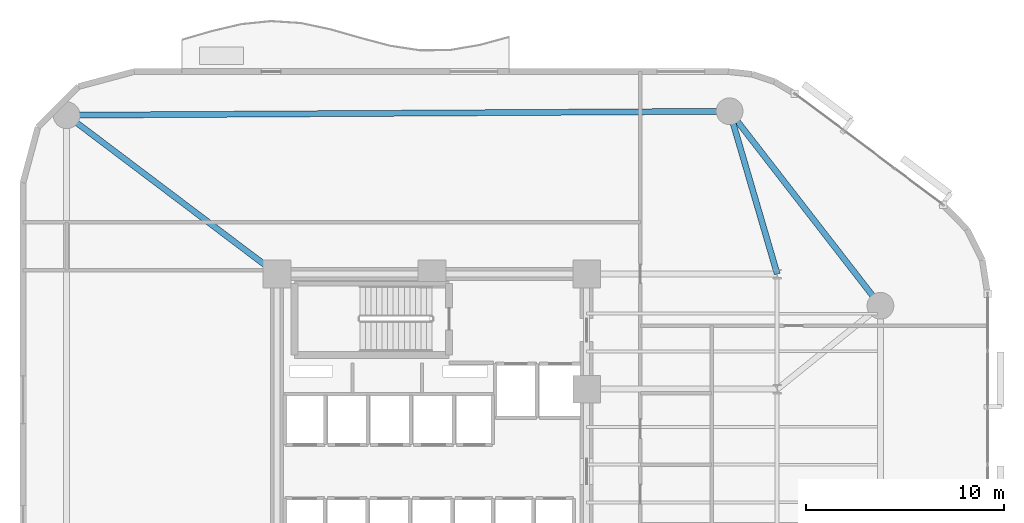
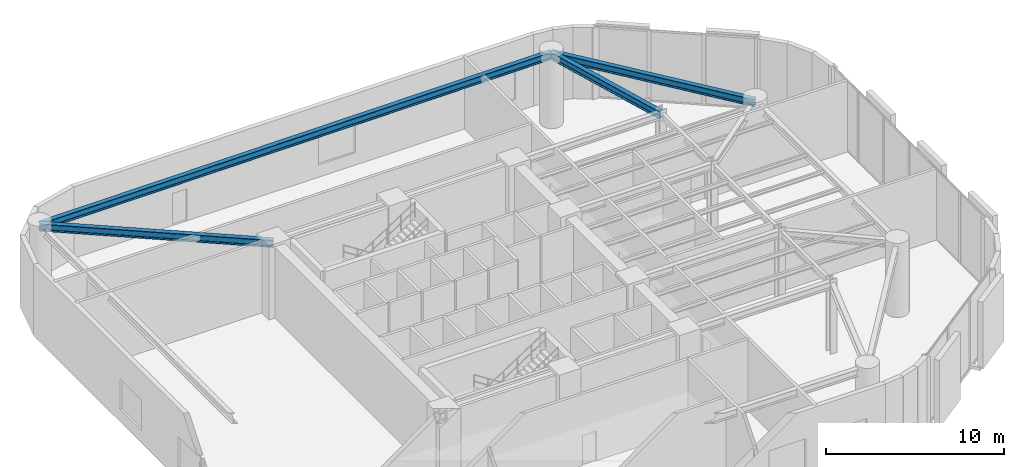
# One storey, part 7 of 14: 4 beams.
"""IFC4 building model written with IfcOpenShell, lengths in metres."""

from ifc_helpers import new_model, si_unit, direction, frame, origin, origin_2d, place, context, subcontext, project, spatial, i_section, extrude, material, material_profile, profile_set, type_object, element, save


model = new_model("IFC4")

# Units and contexts
model_context = context("Model", 3, precision=1e-05, world=origin(), true_north=direction((0.0, 1.0)))
body_context = subcontext(model_context, "Body", "Model", "MODEL_VIEW")
ifc_project = project(units=[si_unit("LENGTHUNIT", "METRE"), si_unit("AREAUNIT", "SQUARE_METRE"), si_unit("VOLUMEUNIT", "CUBIC_METRE"), si_unit("PLANEANGLEUNIT", "RADIAN"), si_unit("MASSUNIT", "GRAM", prefix="KILO")], contexts=[model_context])

# Site, building, storey
site_placement = place(None, origin())
site = spatial("IfcSite", under=ifc_project, at=site_placement, CompositionType="ELEMENT")
building_placement = place(site_placement, origin())
building = spatial("IfcBuilding", under=site, at=building_placement, Name="An Khanh Terracotta Commons", CompositionType="ELEMENT")
storey_placement = place(building_placement, frame((0.0, 0.0, 81.199951171875)))
storey = spatial("IfcBuildingStorey", under=building, at=storey_placement, Name="L21", CompositionType="ELEMENT", Elevation=81.199951171875)

# Beams
ifc_material = material(Name="Steel S355J2", Category="steel")
ifc_material_profile = material_profile(ifc_material, i_section(OverallWidth=0.300048828125, OverallDepth=0.5, WebThickness=0.014404296875, FlangeThickness=0.028076171875, FilletRadius=0.027099609375, at=origin_2d()), Name="HEB500")
ifc_profile_set = profile_set([ifc_material_profile], Name="Steel S355J2")
beam_type = type_object("IfcBeamType", Name="BM-HEB500", PredefinedType="BEAM", material=ifc_profile_set)
beam_1_placement = place(storey_placement, frame((52.0, 32.0, 4.650146484375), z_axis=(-0.612826529795, 0.790217466511, 0.0), x_axis=(-0.790217466511, -0.612826529795, 0.0)))
element("IfcBeam", 1, at=beam_1_placement, inside=storey, type_object=beam_type, Name="L21 Perimeter Ring Spandrel 4", PredefinedType="BEAM", context=body_context, shape_type="SweptSolid", body=[
    extrude(i_section(OverallWidth=0.300048828125, OverallDepth=0.5, WebThickness=0.014404296875, FlangeThickness=0.028076171875, FilletRadius=0.027099609375, at=origin_2d()), origin(), (0.0, 0.0, 1.0), 12.401611328125),
])
beam_2_placement = place(storey_placement, frame((44.39990234375, 41.800048828125, 4.650146484375), z_axis=(-0.999982080914, -0.005986472262, 0.0), x_axis=(0.005986472262, -0.999982080914, 0.0)))
element("IfcBeam", 2, at=beam_2_placement, inside=storey, type_object=beam_type, Name="L21 Perimeter Ring Spandrel 5", PredefinedType="BEAM", context=body_context, shape_type="SweptSolid", body=[
    extrude(i_section(OverallWidth=0.300048828125, OverallDepth=0.5, WebThickness=0.014404296875, FlangeThickness=0.028076171875, FilletRadius=0.027099609375, at=origin_2d()), origin(), (0.0, 0.0, 1.0), 33.400390625),
])
beam_3_placement = place(storey_placement, frame((44.39990234375, 41.800048828125, 4.650146484375), z_axis=(0.280916085823, -0.959732333896, 0.0), x_axis=(0.959732333896, 0.280916085823, 0.0)))
element("IfcBeam", 3, at=beam_3_placement, inside=storey, type_object=beam_type, Name="L21 Mega-Column Tie Girder 5", PredefinedType="BEAM", context=body_context, shape_type="SweptSolid", body=[
    extrude(i_section(OverallWidth=0.300048828125, OverallDepth=0.5, WebThickness=0.014404296875, FlangeThickness=0.028076171875, FilletRadius=0.027099609375, at=origin_2d()), origin(), (0.0, 0.0, 1.0), 8.5439453125),
])
beam_4_placement = place(storey_placement, frame((11.0, 41.60009765625, 4.650146484375), z_axis=(0.798191818888, -0.602403370061, 0.0), x_axis=(0.602403370061, 0.798191818888, 0.0)))
element("IfcBeam", 4, at=beam_4_placement, inside=storey, type_object=beam_type, Name="L21 Mega-Column Tie Girder 6", PredefinedType="BEAM", context=body_context, shape_type="SweptSolid", body=[
    extrude(i_section(OverallWidth=0.300048828125, OverallDepth=0.5, WebThickness=0.014404296875, FlangeThickness=0.028076171875, FilletRadius=0.027099609375, at=origin_2d()), origin(), (0.0, 0.0, 1.0), 13.280029296875),
])

save(model, "model.ifc")
